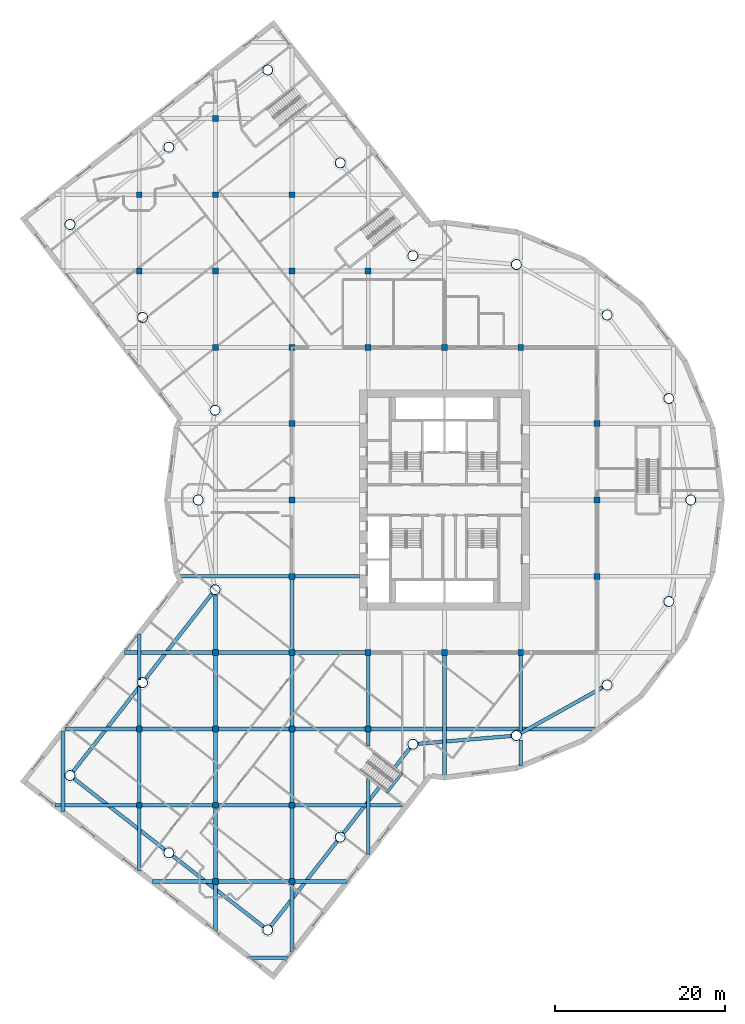
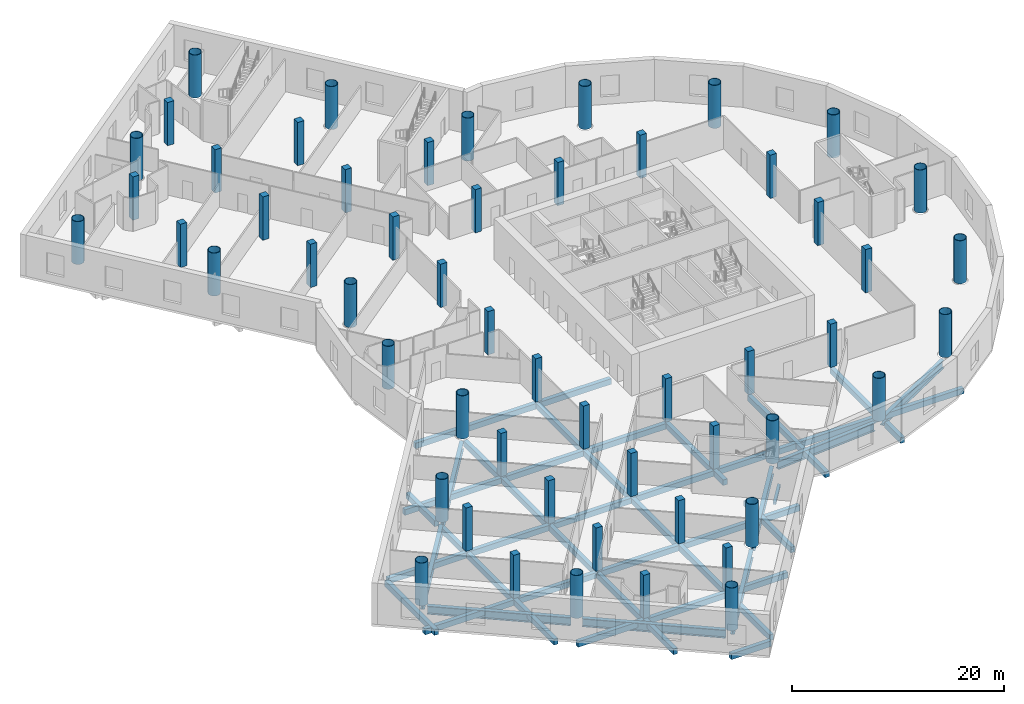
# One storey, part 1 of 22: 55 columns, 48 beams.
"""IFC4 building model written with IfcOpenShell, lengths in metres."""

from ifc_helpers import new_model, si_unit, direction, frame, origin, origin_2d, place, context, subcontext, project, spatial, rectangle, hollow_circle, i_section, extrude, material, material_profile, profile_set, type_object, element, save


model = new_model("IFC4")

# Units and contexts
model_context = context("Model", 3, precision=1e-05, world=origin(), true_north=direction((0.0, 1.0)))
body_context = subcontext(model_context, "Body", "Model", "MODEL_VIEW")
ifc_project = project(units=[si_unit("LENGTHUNIT", "METRE"), si_unit("AREAUNIT", "SQUARE_METRE"), si_unit("VOLUMEUNIT", "CUBIC_METRE"), si_unit("PLANEANGLEUNIT", "RADIAN"), si_unit("MASSUNIT", "GRAM", prefix="KILO")], contexts=[model_context])

# Site, building, storey
site_placement = place(None, origin())
site = spatial("IfcSite", under=ifc_project, at=site_placement, CompositionType="ELEMENT")
building_placement = place(site_placement, origin())
building = spatial("IfcBuilding", under=site, at=building_placement, Name="Tarsis Ring Headquarters", CompositionType="ELEMENT")
storey_placement = place(building_placement, frame((0.0, 0.0, 25.0)))
storey = spatial("IfcBuildingStorey", under=building, at=storey_placement, Name="L04", CompositionType="ELEMENT", Elevation=25.0)

# Columns
ifc_material_1 = material(Name="Concrete C40/50", Category="concrete")
ifc_material_profile_1 = material_profile(ifc_material_1, rectangle(XDim=0.699951171875, YDim=0.699951171875, at=origin_2d()), Name="PO-C700")
ifc_profile_set_1 = profile_set([ifc_material_profile_1], Name="Concrete C40/50")
column_type_1 = type_object("IfcColumnType", Name="PO-C700", PredefinedType="COLUMN", material=ifc_profile_set_1)
for number, where, z_axis, x_axis, name in (
    (1, (-36.0, -36.0, 0.0), (0.0, 0.0, 1.0), (1.0, 0.0, 0.0), "L04 column 1"),
    (2, (-36.0, -27.0, 0.0), (0.0, 0.0, 1.0), (1.0, 0.0, 0.0), "L04 column 2"),
    (3, (-36.0, 27.0, 0.0), (0.0, 0.0, 1.0), (1.0, 0.0, 0.0), "L04 column 3"),
    (4, (-36.0, 36.0, 0.0), (0.0, 0.0, 1.0), (1.0, 0.0, 0.0), "L04 column 4"),
    (5, (-27.0, -45.0, 0.0), (0.0, 0.0, 1.0), (1.0, 0.0, 0.0), "L04 column 5"),
    (6, (-27.0, -36.0, 0.0), (0.0, 0.0, 1.0), (1.0, 0.0, 0.0), "L04 column 6"),
    (7, (-27.0, -27.0, 0.0), (0.0, 0.0, 1.0), (1.0, 0.0, 0.0), "L04 column 7"),
    (8, (-27.0, -18.0, 0.0), (0.0, 0.0, 1.0), (1.0, 0.0, 0.0), "L04 column 8"),
    (9, (-27.0, 18.0, 0.0), (0.0, 0.0, 1.0), (1.0, 0.0, 0.0), "L04 column 9"),
    (10, (-27.0, 27.0, 0.0), (0.0, 0.0, 1.0), (1.0, 0.0, 0.0), "L04 column 10"),
    (11, (-27.0, 36.0, 0.0), (0.0, 0.0, 1.0), (1.0, 0.0, 0.0), "L04 column 11"),
    (12, (-27.0, 45.0, 0.0), (0.0, 0.0, 1.0), (1.0, 0.0, 0.0), "L04 column 12"),
    (13, (-18.0, -45.0, 0.0), (0.0, 0.0, 1.0), (1.0, 0.0, 0.0), "L04 column 13"),
    (14, (-18.0, -36.0, 0.0), (0.0, 0.0, 1.0), (1.0, 0.0, 0.0), "L04 column 14"),
    (15, (-18.0, -27.0, 0.0), (0.0, 0.0, 1.0), (1.0, 0.0, 0.0), "L04 column 15"),
    (16, (-18.0, -18.0, 0.0), (0.0, 0.0, 1.0), (1.0, 0.0, 0.0), "L04 column 16"),
    (17, (-18.0, -9.0, 0.0), (0.0, 0.0, 1.0), (1.0, 0.0, 0.0), "L04 column 17"),
    (18, (-18.0, 0.0, 0.0), (0.0, 0.0, 1.0), (1.0, 0.0, 0.0), "L04 column 18"),
    (19, (-18.0, 9.0, 0.0), (0.0, 0.0, 1.0), (1.0, 0.0, 0.0), "L04 column 19"),
    (20, (-18.0, 18.0, 0.0), (0.0, 0.0, 1.0), (1.0, 0.0, 0.0), "L04 column 20"),
    (21, (-18.0, 27.0, 0.0), (0.0, 0.0, 1.0), (1.0, 0.0, 0.0), "L04 column 21"),
    (22, (-18.0, 36.0, 0.0), (0.0, 0.0, 1.0), (1.0, 0.0, 0.0), "L04 column 22"),
    (23, (-9.0, -27.0, 0.0), (0.0, 0.0, 1.0), (1.0, 0.0, 0.0), "L04 column 23"),
    (24, (-9.0, -18.0, 0.0), (0.0, 0.0, 1.0), (1.0, 0.0, 0.0), "L04 column 24"),
    (25, (-9.0, 18.0, 0.0), (0.0, 0.0, 1.0), (1.0, 0.0, 0.0), "L04 column 25"),
    (26, (-9.0, 27.0, 0.0), (0.0, 0.0, 1.0), (1.0, 0.0, 0.0), "L04 column 26"),
    (27, (0.0, -18.0, 0.0), (0.0, 0.0, 1.0), (1.0, 0.0, 0.0), "L04 column 27"),
    (28, (0.0, 18.0, 0.0), (0.0, 0.0, 1.0), (1.0, 0.0, 0.0), "L04 column 28"),
    (29, (9.0, -18.0, 0.0), (0.0, 0.0, 1.0), (1.0, 0.0, 0.0), "L04 column 29"),
    (30, (9.0, 18.0, 0.0), (0.0, 0.0, 1.0), (1.0, 0.0, 0.0), "L04 column 30"),
    (31, (18.0, -9.0, 0.0), (0.0, 0.0, 1.0), (1.0, 0.0, 0.0), "L04 column 31"),
    (32, (18.0, 0.0, 0.0), (0.0, 0.0, 1.0), (1.0, 0.0, 0.0), "L04 column 32"),
    (33, (18.0, 9.0, 0.0), (0.0, 0.0, 1.0), (1.0, 0.0, 0.0), "L04 column 33"),
):
    element("IfcColumn", number, at=place(storey_placement, frame(where, z_axis=z_axis, x_axis=x_axis)), inside=storey, type_object=column_type_1, Name=name, PredefinedType="COLUMN", context=body_context, shape_type="SweptSolid", body=[
        extrude(rectangle(XDim=0.699951171875, YDim=0.699951171875, at=origin_2d()), origin(), (0.0, 0.0, 1.0), 5.0),
    ])
ifc_material_2 = material(Name="Structural steel S460", Category="steel")
ifc_material_profile_2 = material_profile(ifc_material_2, hollow_circle(Radius=0.609619140625, WallThickness=0.050048828125, at=origin_2d()), Name="CHS 1219x50")
ifc_profile_set_2 = profile_set([ifc_material_profile_2], Name="Structural steel S460")
column_type_2 = type_object("IfcColumnType", Name="XC Exo column CHS 1219x50", PredefinedType="COLUMN", material=ifc_profile_set_2)
column_1_placement = place(storey_placement, frame((-29.048583984375, 0.0, 0.000244140625), z_axis=(0.0, 0.0, 1.0), x_axis=(1.0, 0.0, 0.0)))
element("IfcColumn", 34, at=column_1_placement, inside=storey, type_object=column_type_2, Name="Exo column XC1 F1", PredefinedType="COLUMN", context=body_context, shape_type="SweptSolid", body=[
    extrude(hollow_circle(Radius=0.609619140625, WallThickness=0.050048828125, at=origin_2d()), origin(), (0.0, 0.0, 1.0), 4.966796875),
])
column_2_placement = place(storey_placement, frame((-27.05126953125, -10.5849609375, 0.000244140625), z_axis=(0.0, 0.0, 1.0), x_axis=(1.0, 0.0, 0.0)))
element("IfcColumn", 35, at=column_2_placement, inside=storey, type_object=column_type_2, Name="Exo column XC1 AK", PredefinedType="COLUMN", context=body_context, shape_type="SweptSolid", body=[
    extrude(hollow_circle(Radius=0.609619140625, WallThickness=0.050048828125, at=origin_2d()), origin(), (0.0, 0.0, 1.0), 4.971923828125),
])
column_3_placement = place(storey_placement, frame((-35.6103515625, -21.5400390625, 0.000244140625), z_axis=(0.0, 0.0, 1.0), x_axis=(1.0, 0.0, 0.0)))
element("IfcColumn", 36, at=column_3_placement, inside=storey, type_object=column_type_2, Name="Exo column XC1 AI1", PredefinedType="COLUMN", context=body_context, shape_type="SweptSolid", body=[
    extrude(hollow_circle(Radius=0.609619140625, WallThickness=0.050048828125, at=origin_2d()), origin(), (0.0, 0.0, 1.0), 4.95751953125),
])
column_4_placement = place(storey_placement, frame((-44.16943359375, -32.4951171875, 0.000244140625), z_axis=(0.0, 0.0, 1.0), x_axis=(1.0, 0.0, 0.0)))
element("IfcColumn", 37, at=column_4_placement, inside=storey, type_object=column_type_2, Name="Exo column XC1 AT1", PredefinedType="COLUMN", context=body_context, shape_type="SweptSolid", body=[
    extrude(hollow_circle(Radius=0.609619140625, WallThickness=0.050048828125, at=origin_2d()), origin(), (0.0, 0.0, 1.0), 4.942138671875),
])
column_5_placement = place(storey_placement, frame((-32.5068359375, -41.60693359375, 0.000244140625), z_axis=(0.0, 0.0, 1.0), x_axis=(1.0, 0.0, 0.0)))
element("IfcColumn", 38, at=column_5_placement, inside=storey, type_object=column_type_2, Name="Exo column XC1 AT2", PredefinedType="COLUMN", context=body_context, shape_type="SweptSolid", body=[
    extrude(hollow_circle(Radius=0.609619140625, WallThickness=0.050048828125, at=origin_2d()), origin(), (0.0, 0.0, 1.0), 4.943603515625),
])
column_6_placement = place(storey_placement, frame((-20.844482421875, -50.71875, 0.000244140625), z_axis=(0.0, 0.0, 1.0), x_axis=(1.0, 0.0, 0.0)))
element("IfcColumn", 39, at=column_6_placement, inside=storey, type_object=column_type_2, Name="Exo column XC1 AT3", PredefinedType="COLUMN", context=body_context, shape_type="SweptSolid", body=[
    extrude(hollow_circle(Radius=0.609619140625, WallThickness=0.050048828125, at=origin_2d()), origin(), (0.0, 0.0, 1.0), 4.947998046875),
])
column_7_placement = place(storey_placement, frame((-12.285400390625, -39.763671875, 0.000244140625), z_axis=(0.0, 0.0, 1.0), x_axis=(1.0, 0.0, 0.0)))
element("IfcColumn", 40, at=column_7_placement, inside=storey, type_object=column_type_2, Name="Exo column XC1 AO1", PredefinedType="COLUMN", context=body_context, shape_type="SweptSolid", body=[
    extrude(hollow_circle(Radius=0.609619140625, WallThickness=0.050048828125, at=origin_2d()), origin(), (0.0, 0.0, 1.0), 4.958740234375),
])
column_8_placement = place(storey_placement, frame((-3.726318359375, -28.80859375, 0.000244140625), z_axis=(0.0, 0.0, 1.0), x_axis=(1.0, 0.0, 0.0)))
element("IfcColumn", 41, at=column_8_placement, inside=storey, type_object=column_type_2, Name="Exo column XC1 AJ", PredefinedType="COLUMN", context=body_context, shape_type="SweptSolid", body=[
    extrude(hollow_circle(Radius=0.609619140625, WallThickness=0.050048828125, at=origin_2d()), origin(), (0.0, 0.0, 1.0), 4.968505859375),
])
column_9_placement = place(storey_placement, frame((8.479736328125, -27.783203125, 0.000244140625), z_axis=(0.0, 0.0, 1.0), x_axis=(1.0, 0.0, 0.0)))
element("IfcColumn", 42, at=column_9_placement, inside=storey, type_object=column_type_2, Name="Exo column XC1 R1", PredefinedType="COLUMN", context=body_context, shape_type="SweptSolid", body=[
    extrude(hollow_circle(Radius=0.609619140625, WallThickness=0.050048828125, at=origin_2d()), origin(), (0.0, 0.0, 1.0), 4.970947265625),
])
column_10_placement = place(storey_placement, frame((19.177734375, -21.818115234375, 0.000244140625), z_axis=(0.0, 0.0, 1.0), x_axis=(1.0, 0.0, 0.0)))
element("IfcColumn", 43, at=column_10_placement, inside=storey, type_object=column_type_2, Name="Exo column XC1 R2", PredefinedType="COLUMN", context=body_context, shape_type="SweptSolid", body=[
    extrude(hollow_circle(Radius=0.609619140625, WallThickness=0.050048828125, at=origin_2d()), origin(), (0.0, 0.0, 1.0), 4.9677734375),
])
column_11_placement = place(storey_placement, frame((26.466064453125, -11.9736328125, 0.000244140625), z_axis=(0.0, 0.0, 1.0), x_axis=(1.0, 0.0, 0.0)))
element("IfcColumn", 44, at=column_11_placement, inside=storey, type_object=column_type_2, Name="Exo column XC1 R3", PredefinedType="COLUMN", context=body_context, shape_type="SweptSolid", body=[
    extrude(hollow_circle(Radius=0.609619140625, WallThickness=0.050048828125, at=origin_2d()), origin(), (0.0, 0.0, 1.0), 4.971923828125),
])
column_12_placement = place(storey_placement, frame((29.048583984375, 0.0, 0.000244140625), z_axis=(0.0, 0.0, 1.0), x_axis=(1.0, 0.0, 0.0)))
element("IfcColumn", 45, at=column_12_placement, inside=storey, type_object=column_type_2, Name="Exo column XC1 R4", PredefinedType="COLUMN", context=body_context, shape_type="SweptSolid", body=[
    extrude(hollow_circle(Radius=0.609619140625, WallThickness=0.050048828125, at=origin_2d()), origin(), (0.0, 0.0, 1.0), 4.966796875),
])
column_13_placement = place(storey_placement, frame((26.466064453125, 11.9736328125, 0.000244140625), z_axis=(0.0, 0.0, 1.0), x_axis=(1.0, 0.0, 0.0)))
element("IfcColumn", 46, at=column_13_placement, inside=storey, type_object=column_type_2, Name="Exo column XC1 R5", PredefinedType="COLUMN", context=body_context, shape_type="SweptSolid", body=[
    extrude(hollow_circle(Radius=0.609619140625, WallThickness=0.050048828125, at=origin_2d()), origin(), (0.0, 0.0, 1.0), 4.9716796875),
])
column_14_placement = place(storey_placement, frame((19.177734375, 21.818115234375, 0.000244140625), z_axis=(0.0, 0.0, 1.0), x_axis=(1.0, 0.0, 0.0)))
element("IfcColumn", 47, at=column_14_placement, inside=storey, type_object=column_type_2, Name="Exo column XC1 R6", PredefinedType="COLUMN", context=body_context, shape_type="SweptSolid", body=[
    extrude(hollow_circle(Radius=0.609619140625, WallThickness=0.050048828125, at=origin_2d()), origin(), (0.0, 0.0, 1.0), 4.9677734375),
])
column_15_placement = place(storey_placement, frame((8.479736328125, 27.783203125, 0.000244140625), z_axis=(0.0, 0.0, 1.0), x_axis=(1.0, 0.0, 0.0)))
element("IfcColumn", 48, at=column_15_placement, inside=storey, type_object=column_type_2, Name="Exo column XC1 R7", PredefinedType="COLUMN", context=body_context, shape_type="SweptSolid", body=[
    extrude(hollow_circle(Radius=0.609619140625, WallThickness=0.050048828125, at=origin_2d()), origin(), (0.0, 0.0, 1.0), 4.970947265625),
])
column_16_placement = place(storey_placement, frame((-3.726318359375, 28.80859375, 0.000244140625), z_axis=(0.0, 0.0, 1.0), x_axis=(1.0, 0.0, 0.0)))
element("IfcColumn", 49, at=column_16_placement, inside=storey, type_object=column_type_2, Name="Exo column XC1 BJ", PredefinedType="COLUMN", context=body_context, shape_type="SweptSolid", body=[
    extrude(hollow_circle(Radius=0.609619140625, WallThickness=0.050048828125, at=origin_2d()), origin(), (0.0, 0.0, 1.0), 4.96875),
])
column_17_placement = place(storey_placement, frame((-12.285400390625, 39.763671875, 0.000244140625), z_axis=(0.0, 0.0, 1.0), x_axis=(1.0, 0.0, 0.0)))
element("IfcColumn", 50, at=column_17_placement, inside=storey, type_object=column_type_2, Name="Exo column XC1 BO1", PredefinedType="COLUMN", context=body_context, shape_type="SweptSolid", body=[
    extrude(hollow_circle(Radius=0.609619140625, WallThickness=0.050048828125, at=origin_2d()), origin(), (0.0, 0.0, 1.0), 4.958740234375),
])
column_18_placement = place(storey_placement, frame((-20.844482421875, 50.71875, 0.000244140625), z_axis=(0.0, 0.0, 1.0), x_axis=(1.0, 0.0, 0.0)))
element("IfcColumn", 51, at=column_18_placement, inside=storey, type_object=column_type_2, Name="Exo column XC1 BT3", PredefinedType="COLUMN", context=body_context, shape_type="SweptSolid", body=[
    extrude(hollow_circle(Radius=0.609619140625, WallThickness=0.050048828125, at=origin_2d()), origin(), (0.0, 0.0, 1.0), 4.947998046875),
])
column_19_placement = place(storey_placement, frame((-32.5068359375, 41.60693359375, 0.000244140625), z_axis=(0.0, 0.0, 1.0), x_axis=(1.0, 0.0, 0.0)))
element("IfcColumn", 52, at=column_19_placement, inside=storey, type_object=column_type_2, Name="Exo column XC1 BT2", PredefinedType="COLUMN", context=body_context, shape_type="SweptSolid", body=[
    extrude(hollow_circle(Radius=0.609619140625, WallThickness=0.050048828125, at=origin_2d()), origin(), (0.0, 0.0, 1.0), 4.943359375),
])
column_20_placement = place(storey_placement, frame((-44.16943359375, 32.4951171875, 0.000244140625), z_axis=(0.0, 0.0, 1.0), x_axis=(1.0, 0.0, 0.0)))
element("IfcColumn", 53, at=column_20_placement, inside=storey, type_object=column_type_2, Name="Exo column XC1 BT1", PredefinedType="COLUMN", context=body_context, shape_type="SweptSolid", body=[
    extrude(hollow_circle(Radius=0.609619140625, WallThickness=0.050048828125, at=origin_2d()), origin(), (0.0, 0.0, 1.0), 4.9423828125),
])
column_21_placement = place(storey_placement, frame((-35.6103515625, 21.5400390625, 0.000244140625), z_axis=(0.0, 0.0, 1.0), x_axis=(1.0, 0.0, 0.0)))
element("IfcColumn", 54, at=column_21_placement, inside=storey, type_object=column_type_2, Name="Exo column XC1 BI1", PredefinedType="COLUMN", context=body_context, shape_type="SweptSolid", body=[
    extrude(hollow_circle(Radius=0.609619140625, WallThickness=0.050048828125, at=origin_2d()), origin(), (0.0, 0.0, 1.0), 4.957763671875),
])
column_22_placement = place(storey_placement, frame((-27.05126953125, 10.5849609375, 0.000244140625), z_axis=(0.0, 0.0, 1.0), x_axis=(1.0, 0.0, 0.0)))
element("IfcColumn", 55, at=column_22_placement, inside=storey, type_object=column_type_2, Name="Exo column XC1 BK", PredefinedType="COLUMN", context=body_context, shape_type="SweptSolid", body=[
    extrude(hollow_circle(Radius=0.609619140625, WallThickness=0.050048828125, at=origin_2d()), origin(), (0.0, 0.0, 1.0), 4.971923828125),
])

# Beams
ifc_material_profile_3 = material_profile(ifc_material_1, rectangle(XDim=0.449951171875, YDim=0.64990234375, at=origin_2d()), Name="PO-B450")
ifc_profile_set_3 = profile_set([ifc_material_profile_3], Name="Concrete C40/50")
beam_type_1 = type_object("IfcBeamType", Name="PO-B450", PredefinedType="BEAM", material=ifc_profile_set_3)
beam_1_placement = place(storey_placement, frame((-45.0, -36.73193359375, -0.574951171875), z_axis=(0.0, 1.0, 0.0), x_axis=(-1.0, 0.0, 0.0)))
element("IfcBeam", 56, at=beam_1_placement, inside=storey, type_object=beam_type_1, Name="L04 floor beam 1", PredefinedType="BEAM", context=body_context, shape_type="SweptSolid", body=[
    extrude(rectangle(XDim=0.449951171875, YDim=0.64990234375, at=origin_2d()), origin(), (0.0, 0.0, 1.0), 9.42724609375),
])
beam_2_placement = place(storey_placement, frame((-36.0, -43.763671875, -0.574951171875), z_axis=(0.0, 1.0, 0.0), x_axis=(-1.0, 0.0, 0.0)))
element("IfcBeam", 57, at=beam_2_placement, inside=storey, type_object=beam_type_1, Name="L04 floor beam 3", PredefinedType="BEAM", context=body_context, shape_type="SweptSolid", body=[
    extrude(rectangle(XDim=0.449951171875, YDim=0.64990234375, at=origin_2d()), origin(), (0.0, 0.0, 1.0), 7.763671875),
])
beam_3_placement = place(storey_placement, frame((-36.0, -36.0, -0.574951171875), z_axis=(0.0, 1.0, 0.0), x_axis=(-1.0, 0.0, 0.0)))
element("IfcBeam", 58, at=beam_3_placement, inside=storey, type_object=beam_type_1, Name="L04 floor beam 4", PredefinedType="BEAM", context=body_context, shape_type="SweptSolid", body=[
    extrude(rectangle(XDim=0.449951171875, YDim=0.64990234375, at=origin_2d()), origin(), (0.0, 0.0, 1.0), 9.0),
])
beam_4_placement = place(storey_placement, frame((-36.0, -27.0, -0.574951171875), z_axis=(0.0, 1.0, 0.0), x_axis=(-1.0, 0.0, 0.0)))
element("IfcBeam", 59, at=beam_4_placement, inside=storey, type_object=beam_type_1, Name="L04 floor beam 5", PredefinedType="BEAM", context=body_context, shape_type="SweptSolid", body=[
    extrude(rectangle(XDim=0.449951171875, YDim=0.64990234375, at=origin_2d()), origin(), (0.0, 0.0, 1.0), 5.146484375),
])
beam_5_placement = place(storey_placement, frame((-36.0, -21.2265625, -0.574951171875), z_axis=(0.0, 1.0, 0.0), x_axis=(-1.0, 0.0, 0.0)))
element("IfcBeam", 60, at=beam_5_placement, inside=storey, type_object=beam_type_1, Name="L04 floor beam 6", PredefinedType="BEAM", context=body_context, shape_type="SweptSolid", body=[
    extrude(rectangle(XDim=0.449951171875, YDim=0.64990234375, at=origin_2d()), origin(), (0.0, 0.0, 1.0), 5.44140625),
])
beam_6_placement = place(storey_placement, frame((-27.0, -50.795166015625, -0.574951171875), z_axis=(0.0, 1.0, 0.0), x_axis=(-1.0, 0.0, 0.0)))
element("IfcBeam", 61, at=beam_6_placement, inside=storey, type_object=beam_type_1, Name="L04 floor beam 11", PredefinedType="BEAM", context=body_context, shape_type="SweptSolid", body=[
    extrude(rectangle(XDim=0.449951171875, YDim=0.64990234375, at=origin_2d()), origin(), (0.0, 0.0, 1.0), 5.795166015625),
])
for number, where, z_axis, x_axis, name in (
    (62, (-27.0, -45.0, -0.574951171875), (0.0, 1.0, 0.0), (-1.0, 0.0, 0.0), "L04 floor beam 12"),
    (63, (-27.0, -36.0, -0.574951171875), (0.0, 1.0, 0.0), (-1.0, 0.0, 0.0), "L04 floor beam 13"),
    (64, (-27.0, -27.0, -0.574951171875), (0.0, 1.0, 0.0), (-1.0, 0.0, 0.0), "L04 floor beam 14"),
):
    element("IfcBeam", number, at=place(storey_placement, frame(where, z_axis=z_axis, x_axis=x_axis)), inside=storey, type_object=beam_type_1, Name=name, PredefinedType="BEAM", context=body_context, shape_type="SweptSolid", body=[
        extrude(rectangle(XDim=0.449951171875, YDim=0.64990234375, at=origin_2d()), origin(), (0.0, 0.0, 1.0), 9.0),
    ])
beam_7_placement = place(storey_placement, frame((-27.0, -18.0, -0.574951171875), z_axis=(0.0, 1.0, 0.0), x_axis=(-1.0, 0.0, 0.0)))
element("IfcBeam", 65, at=beam_7_placement, inside=storey, type_object=beam_type_1, Name="L04 floor beam 15", PredefinedType="BEAM", context=body_context, shape_type="SweptSolid", body=[
    extrude(rectangle(XDim=0.449951171875, YDim=0.64990234375, at=origin_2d()), origin(), (0.0, 0.0, 1.0), 6.917724609375),
])
beam_8_placement = place(storey_placement, frame((-18.0, -53.33154296875, -0.574951171875), z_axis=(0.0, 1.0, 0.0), x_axis=(-1.0, 0.0, 0.0)))
element("IfcBeam", 66, at=beam_8_placement, inside=storey, type_object=beam_type_1, Name="L04 floor beam 22", PredefinedType="BEAM", context=body_context, shape_type="SweptSolid", body=[
    extrude(rectangle(XDim=0.449951171875, YDim=0.64990234375, at=origin_2d()), origin(), (0.0, 0.0, 1.0), 8.33154296875),
])
for number, where, z_axis, x_axis, name in (
    (67, (-18.0, -45.0, -0.574951171875), (0.0, 1.0, 0.0), (-1.0, 0.0, 0.0), "L04 floor beam 23"),
    (68, (-18.0, -36.0, -0.574951171875), (0.0, 1.0, 0.0), (-1.0, 0.0, 0.0), "L04 floor beam 24"),
    (69, (-18.0, -27.0, -0.574951171875), (0.0, 1.0, 0.0), (-1.0, 0.0, 0.0), "L04 floor beam 25"),
    (70, (-18.0, -18.0, -0.574951171875), (0.0, 1.0, 0.0), (-1.0, 0.0, 0.0), "L04 floor beam 26"),
):
    element("IfcBeam", number, at=place(storey_placement, frame(where, z_axis=z_axis, x_axis=x_axis)), inside=storey, type_object=beam_type_1, Name=name, PredefinedType="BEAM", context=body_context, shape_type="SweptSolid", body=[
        extrude(rectangle(XDim=0.449951171875, YDim=0.64990234375, at=origin_2d()), origin(), (0.0, 0.0, 1.0), 9.0),
    ])
beam_9_placement = place(storey_placement, frame((-9.0, -41.81201171875, -0.574951171875), z_axis=(0.0, 1.0, 0.0), x_axis=(-1.0, 0.0, 0.0)))
element("IfcBeam", 71, at=beam_9_placement, inside=storey, type_object=beam_type_1, Name="L04 floor beam 34", PredefinedType="BEAM", context=body_context, shape_type="SweptSolid", body=[
    extrude(rectangle(XDim=0.449951171875, YDim=0.64990234375, at=origin_2d()), origin(), (0.0, 0.0, 1.0), 8.939697265625),
])
beam_10_placement = place(storey_placement, frame((-9.0, -29.003173828125, -0.574951171875), z_axis=(0.0, 1.0, 0.0), x_axis=(-1.0, 0.0, 0.0)))
element("IfcBeam", 72, at=beam_10_placement, inside=storey, type_object=beam_type_1, Name="L04 floor beam 35", PredefinedType="BEAM", context=body_context, shape_type="SweptSolid", body=[
    extrude(rectangle(XDim=0.449951171875, YDim=0.64990234375, at=origin_2d()), origin(), (0.0, 0.0, 1.0), 2.003173828125),
])
beam_11_placement = place(storey_placement, frame((-9.0, -27.0, -0.574951171875), z_axis=(0.0, 1.0, 0.0), x_axis=(-1.0, 0.0, 0.0)))
element("IfcBeam", 73, at=beam_11_placement, inside=storey, type_object=beam_type_1, Name="L04 floor beam 36", PredefinedType="BEAM", context=body_context, shape_type="SweptSolid", body=[
    extrude(rectangle(XDim=0.449951171875, YDim=0.64990234375, at=origin_2d()), origin(), (0.0, 0.0, 1.0), 9.0),
])
beam_12_placement = place(storey_placement, frame((0.0, -32.70458984375, -0.574951171875), z_axis=(0.0, 1.0, 0.0), x_axis=(-1.0, 0.0, 0.0)))
element("IfcBeam", 74, at=beam_12_placement, inside=storey, type_object=beam_type_1, Name="L04 floor beam 42", PredefinedType="BEAM", context=body_context, shape_type="SweptSolid", body=[
    extrude(rectangle(XDim=0.449951171875, YDim=0.64990234375, at=origin_2d()), origin(), (0.0, 0.0, 1.0), 14.70458984375),
])
beam_13_placement = place(storey_placement, frame((9.0, -31.371337890625, -0.574951171875), z_axis=(0.0, 1.0, 0.0), x_axis=(-1.0, 0.0, 0.0)))
element("IfcBeam", 75, at=beam_13_placement, inside=storey, type_object=beam_type_1, Name="L04 floor beam 46", PredefinedType="BEAM", context=body_context, shape_type="SweptSolid", body=[
    extrude(rectangle(XDim=0.449951171875, YDim=0.64990234375, at=origin_2d()), origin(), (0.0, 0.0, 1.0), 3.050048828125),
])
beam_14_placement = place(storey_placement, frame((9.0, -27.245361328125, -0.574951171875), z_axis=(0.0, 1.0, 0.0), x_axis=(-1.0, 0.0, 0.0)))
element("IfcBeam", 76, at=beam_14_placement, inside=storey, type_object=beam_type_1, Name="L04 floor beam 47", PredefinedType="BEAM", context=body_context, shape_type="SweptSolid", body=[
    extrude(rectangle(XDim=0.449951171875, YDim=0.64990234375, at=origin_2d()), origin(), (0.0, 0.0, 1.0), 9.245361328125),
])
beam_15_placement = place(storey_placement, frame((-22.89794921875, -54.0, -0.574951171875), z_axis=(1.0, 0.0, 0.0), x_axis=(0.0, 1.0, 0.0)))
element("IfcBeam", 77, at=beam_15_placement, inside=storey, type_object=beam_type_1, Name="L04 floor beam 59", PredefinedType="BEAM", context=body_context, shape_type="SweptSolid", body=[
    extrude(rectangle(XDim=0.449951171875, YDim=0.64990234375, at=origin_2d()), origin(), (0.0, 0.0, 1.0), 4.375732421875),
])
beam_16_placement = place(storey_placement, frame((-34.41748046875, -45.0, -0.574951171875), z_axis=(1.0, 0.0, 0.0), x_axis=(0.0, 1.0, 0.0)))
element("IfcBeam", 78, at=beam_16_placement, inside=storey, type_object=beam_type_1, Name="L04 floor beam 60", PredefinedType="BEAM", context=body_context, shape_type="SweptSolid", body=[
    extrude(rectangle(XDim=0.449951171875, YDim=0.64990234375, at=origin_2d()), origin(), (0.0, 0.0, 1.0), 7.41748046875),
])
beam_17_placement = place(storey_placement, frame((-27.0, -45.0, -0.574951171875), z_axis=(1.0, 0.0, 0.0), x_axis=(0.0, 1.0, 0.0)))
element("IfcBeam", 79, at=beam_17_placement, inside=storey, type_object=beam_type_1, Name="L04 floor beam 61", PredefinedType="BEAM", context=body_context, shape_type="SweptSolid", body=[
    extrude(rectangle(XDim=0.449951171875, YDim=0.64990234375, at=origin_2d()), origin(), (0.0, 0.0, 1.0), 9.0),
])
beam_18_placement = place(storey_placement, frame((-18.0, -45.0, -0.574951171875), z_axis=(1.0, 0.0, 0.0), x_axis=(0.0, 1.0, 0.0)))
element("IfcBeam", 80, at=beam_18_placement, inside=storey, type_object=beam_type_1, Name="L04 floor beam 62", PredefinedType="BEAM", context=body_context, shape_type="SweptSolid", body=[
    extrude(rectangle(XDim=0.449951171875, YDim=0.64990234375, at=origin_2d()), origin(), (0.0, 0.0, 1.0), 6.50927734375),
])
beam_19_placement = place(storey_placement, frame((-45.93701171875, -36.0, -0.574951171875), z_axis=(1.0, 0.0, 0.0), x_axis=(0.0, 1.0, 0.0)))
element("IfcBeam", 81, at=beam_19_placement, inside=storey, type_object=beam_type_1, Name="L04 floor beam 63", PredefinedType="BEAM", context=body_context, shape_type="SweptSolid", body=[
    extrude(rectangle(XDim=0.449951171875, YDim=0.64990234375, at=origin_2d()), origin(), (0.0, 0.0, 1.0), 9.93701171875),
])
for number, where, z_axis, x_axis, name in (
    (82, (-36.0, -36.0, -0.574951171875), (1.0, 0.0, 0.0), (0.0, 1.0, 0.0), "L04 floor beam 64"),
    (83, (-27.0, -36.0, -0.574951171875), (1.0, 0.0, 0.0), (0.0, 1.0, 0.0), "L04 floor beam 65"),
):
    element("IfcBeam", number, at=place(storey_placement, frame(where, z_axis=z_axis, x_axis=x_axis)), inside=storey, type_object=beam_type_1, Name=name, PredefinedType="BEAM", context=body_context, shape_type="SweptSolid", body=[
        extrude(rectangle(XDim=0.449951171875, YDim=0.64990234375, at=origin_2d()), origin(), (0.0, 0.0, 1.0), 9.0),
    ])
beam_20_placement = place(storey_placement, frame((-18.0, -36.0, -0.574951171875), z_axis=(1.0, 0.0, 0.0), x_axis=(0.0, 1.0, 0.0)))
element("IfcBeam", 84, at=beam_20_placement, inside=storey, type_object=beam_type_1, Name="L04 floor beam 66", PredefinedType="BEAM", context=body_context, shape_type="SweptSolid", body=[
    extrude(rectangle(XDim=0.449951171875, YDim=0.64990234375, at=origin_2d()), origin(), (0.0, 0.0, 1.0), 13.0068359375),
])
beam_21_placement = place(storey_placement, frame((-44.761962890625, -27.0, -0.574951171875), z_axis=(1.0, 0.0, 0.0), x_axis=(0.0, 1.0, 0.0)))
element("IfcBeam", 85, at=beam_21_placement, inside=storey, type_object=beam_type_1, Name="L04 floor beam 67", PredefinedType="BEAM", context=body_context, shape_type="SweptSolid", body=[
    extrude(rectangle(XDim=0.449951171875, YDim=0.64990234375, at=origin_2d()), origin(), (0.0, 0.0, 1.0), 8.761962890625),
])
for number, where, z_axis, x_axis, name in (
    (86, (-36.0, -27.0, -0.574951171875), (1.0, 0.0, 0.0), (0.0, 1.0, 0.0), "L04 floor beam 68"),
    (87, (-27.0, -27.0, -0.574951171875), (1.0, 0.0, 0.0), (0.0, 1.0, 0.0), "L04 floor beam 69"),
    (88, (-18.0, -27.0, -0.574951171875), (1.0, 0.0, 0.0), (0.0, 1.0, 0.0), "L04 floor beam 70"),
):
    element("IfcBeam", number, at=place(storey_placement, frame(where, z_axis=z_axis, x_axis=x_axis)), inside=storey, type_object=beam_type_1, Name=name, PredefinedType="BEAM", context=body_context, shape_type="SweptSolid", body=[
        extrude(rectangle(XDim=0.449951171875, YDim=0.64990234375, at=origin_2d()), origin(), (0.0, 0.0, 1.0), 9.0),
    ])
beam_22_placement = place(storey_placement, frame((-9.0, -27.0, -0.574951171875), z_axis=(1.0, 0.0, 0.0), x_axis=(0.0, 1.0, 0.0)))
element("IfcBeam", 89, at=beam_22_placement, inside=storey, type_object=beam_type_1, Name="L04 floor beam 71", PredefinedType="BEAM", context=body_context, shape_type="SweptSolid", body=[
    extrude(rectangle(XDim=0.449951171875, YDim=0.64990234375, at=origin_2d()), origin(), (0.0, 0.0, 1.0), 27.0810546875),
])
beam_23_placement = place(storey_placement, frame((-37.730224609375, -18.0, -0.574951171875), z_axis=(1.0, 0.0, 0.0), x_axis=(0.0, 1.0, 0.0)))
element("IfcBeam", 90, at=beam_23_placement, inside=storey, type_object=beam_type_1, Name="L04 floor beam 72", PredefinedType="BEAM", context=body_context, shape_type="SweptSolid", body=[
    extrude(rectangle(XDim=0.449951171875, YDim=0.64990234375, at=origin_2d()), origin(), (0.0, 0.0, 1.0), 10.730224609375),
])
for number, where, z_axis, x_axis, name in (
    (91, (-27.0, -18.0, -0.574951171875), (1.0, 0.0, 0.0), (0.0, 1.0, 0.0), "L04 floor beam 73"),
    (92, (-18.0, -18.0, -0.574951171875), (1.0, 0.0, 0.0), (0.0, 1.0, 0.0), "L04 floor beam 74"),
):
    element("IfcBeam", number, at=place(storey_placement, frame(where, z_axis=z_axis, x_axis=x_axis)), inside=storey, type_object=beam_type_1, Name=name, PredefinedType="BEAM", context=body_context, shape_type="SweptSolid", body=[
        extrude(rectangle(XDim=0.449951171875, YDim=0.64990234375, at=origin_2d()), origin(), (0.0, 0.0, 1.0), 9.0),
    ])
beam_24_placement = place(storey_placement, frame((-31.371337890625, -9.0, -0.574951171875), z_axis=(1.0, 0.0, 0.0), x_axis=(0.0, 1.0, 0.0)))
element("IfcBeam", 93, at=beam_24_placement, inside=storey, type_object=beam_type_1, Name="L04 floor beam 78", PredefinedType="BEAM", context=body_context, shape_type="SweptSolid", body=[
    extrude(rectangle(XDim=0.449951171875, YDim=0.64990234375, at=origin_2d()), origin(), (0.0, 0.0, 1.0), 13.371337890625),
])
beam_25_placement = place(storey_placement, frame((-18.0, -9.0, -0.574951171875), z_axis=(1.0, 0.0, 0.0), x_axis=(0.0, 1.0, 0.0)))
element("IfcBeam", 94, at=beam_25_placement, inside=storey, type_object=beam_type_1, Name="L04 floor beam 79", PredefinedType="BEAM", context=body_context, shape_type="SweptSolid", body=[
    extrude(rectangle(XDim=0.449951171875, YDim=0.64990234375, at=origin_2d()), origin(), (0.0, 0.0, 1.0), 8.0),
])
ifc_material_3 = material(Name="Concrete C60/75", Category="concrete")
ifc_material_profile_4 = material_profile(ifc_material_3, rectangle(XDim=0.300048828125, YDim=0.300048828125, at=origin_2d()), Name="PO-SHB300")
ifc_profile_set_4 = profile_set([ifc_material_profile_4], Name="Concrete C60/75")
beam_type_2 = type_object("IfcBeamType", Name="PO-SHB300", PredefinedType="BEAM", material=ifc_profile_set_4)
beam_26_placement = place(storey_placement, frame((-4.955322265625, -32.160400390625, -0.39990234375), z_axis=(-0.615308465652, -0.788286427701, 0.0), x_axis=(0.788286427701, -0.615308465652, 0.0)))
element("IfcBeam", 95, at=beam_26_placement, inside=storey, type_object=beam_type_2, Name="Stair head beam L04 PS2", PredefinedType="BEAM", context=body_context, shape_type="SweptSolid", body=[
    extrude(rectangle(XDim=0.300048828125, YDim=0.300048828125, at=origin_2d()), origin(), (0.0, 0.0, 1.0), 3.050048828125),
])
ifc_material_4 = material(Name="Structural steel S355", Category="steel")
ifc_material_profile_5 = material_profile(ifc_material_4, i_section(OverallWidth=0.42431640625, OverallDepth=0.947509765625, WebThickness=0.02392578125, FlangeThickness=0.042724609375, at=origin_2d()), Name="W36x302")
ifc_profile_set_5 = profile_set([ifc_material_profile_5], Name="Structural steel S355")
beam_type_3 = type_object("IfcBeamType", Name="XG Ring girder W36x302", PredefinedType="BEAM", material=ifc_profile_set_5)
for number, where, z_axis, x_axis, name in (
    (96, (-27.38916015625, -11.017333984375, -0.7236328125), (-0.615666981287, -0.788006451847, 0.0), (0.788006451847, -0.615666981287, 0.0), "Ring girder XG1"),
    (97, (-35.9482421875, -21.972412109375, -0.7236328125), (-0.615666981287, -0.788006451847, 0.0), (0.788006451847, -0.615666981287, 0.0), "Ring girder XG1"),
):
    element("IfcBeam", number, at=place(storey_placement, frame(where, z_axis=z_axis, x_axis=x_axis)), inside=storey, type_object=beam_type_3, Name=name, PredefinedType="BEAM", context=body_context, shape_type="SweptSolid", body=[
        extrude(i_section(OverallWidth=0.42431640625, OverallDepth=0.947509765625, WebThickness=0.02392578125, FlangeThickness=0.042724609375, at=origin_2d()), origin(), (0.0, 0.0, 1.0), 12.804931640625),
    ])
for number, where, z_axis, x_axis, name in (
    (98, (-43.737060546875, -32.8330078125, -0.7236328125), (0.7880081664, -0.615664786785, 0.0), (0.615664786785, 0.7880081664, 0.0), "Ring girder XG1"),
    (99, (-32.07470703125, -41.94482421875, -0.7236328125), (0.788023563374, -0.61564507922, 0.0), (0.61564507922, 0.788023563374, 0.0), "Ring girder XG1"),
):
    element("IfcBeam", number, at=place(storey_placement, frame(where, z_axis=z_axis, x_axis=x_axis)), inside=storey, type_object=beam_type_3, Name=name, PredefinedType="BEAM", context=body_context, shape_type="SweptSolid", body=[
        extrude(i_section(OverallWidth=0.42431640625, OverallDepth=0.947509765625, WebThickness=0.02392578125, FlangeThickness=0.042724609375, at=origin_2d()), origin(), (0.0, 0.0, 1.0), 13.70263671875),
    ])
for number, where, z_axis, x_axis, name in (
    (100, (-20.506591796875, -50.286376953125, -0.7236328125), (0.615666981287, 0.788006451847, 0.0), (-0.788006451847, 0.615666981287, 0.0), "Ring girder XG1"),
    (101, (-11.947509765625, -39.331298828125, -0.7236328125), (0.615666981287, 0.788006451847, 0.0), (-0.788006451847, 0.615666981287, 0.0), "Ring girder XG1"),
):
    element("IfcBeam", number, at=place(storey_placement, frame(where, z_axis=z_axis, x_axis=x_axis)), inside=storey, type_object=beam_type_3, Name=name, PredefinedType="BEAM", context=body_context, shape_type="SweptSolid", body=[
        extrude(i_section(OverallWidth=0.42431640625, OverallDepth=0.947509765625, WebThickness=0.02392578125, FlangeThickness=0.042724609375, at=origin_2d()), origin(), (0.0, 0.0, 1.0), 12.804931640625),
    ])
beam_27_placement = place(storey_placement, frame((-3.179443359375, -28.7626953125, -0.7236328125), z_axis=(0.996489363019, 0.083719468411, 0.0), x_axis=(-0.083719468411, 0.996489363019, 0.0)))
element("IfcBeam", 102, at=beam_27_placement, inside=storey, type_object=beam_type_3, Name="Ring girder XG1", PredefinedType="BEAM", context=body_context, shape_type="SweptSolid", body=[
    extrude(i_section(OverallWidth=0.42431640625, OverallDepth=0.947509765625, WebThickness=0.02392578125, FlangeThickness=0.042724609375, at=origin_2d()), origin(), (0.0, 0.0, 1.0), 11.1513671875),
])
beam_28_placement = place(storey_placement, frame((8.958740234375, -27.51611328125, -0.7236328125), z_axis=(0.873397184148, 0.487008581776, 0.0), x_axis=(-0.487008581776, 0.873397184148, 0.0)))
element("IfcBeam", 103, at=beam_28_placement, inside=storey, type_object=beam_type_3, Name="Ring girder XG1", PredefinedType="BEAM", context=body_context, shape_type="SweptSolid", body=[
    extrude(i_section(OverallWidth=0.42431640625, OverallDepth=0.947509765625, WebThickness=0.02392578125, FlangeThickness=0.042724609375, at=origin_2d()), origin(), (0.0, 0.0, 1.0), 11.151611328125),
])

save(model, "model.ifc")
